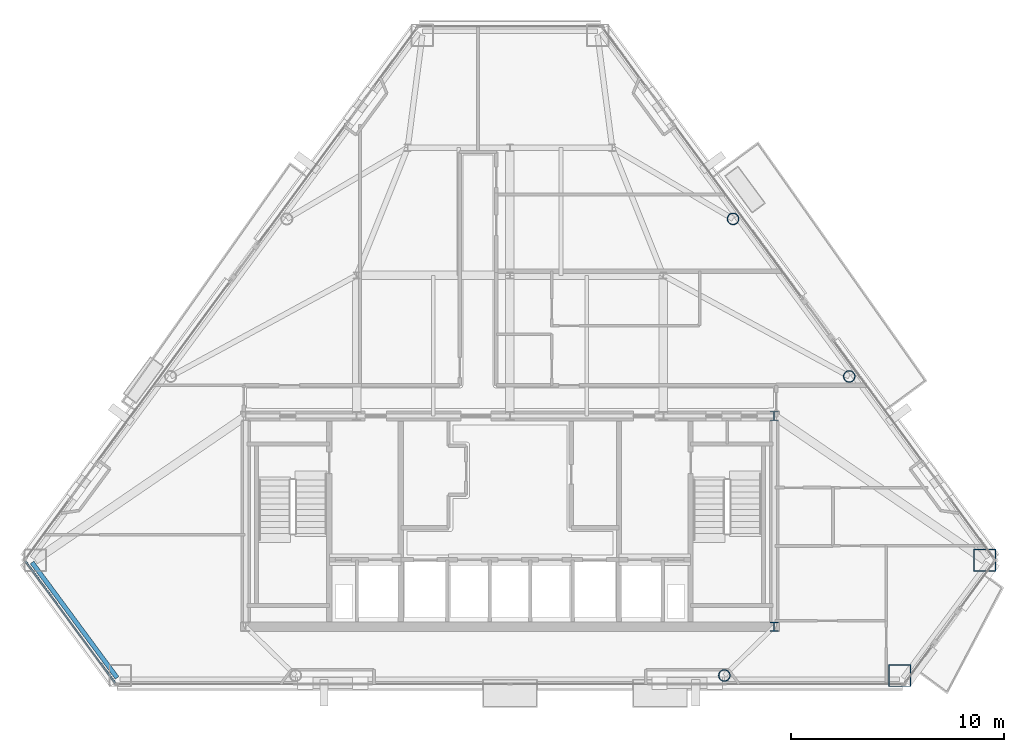
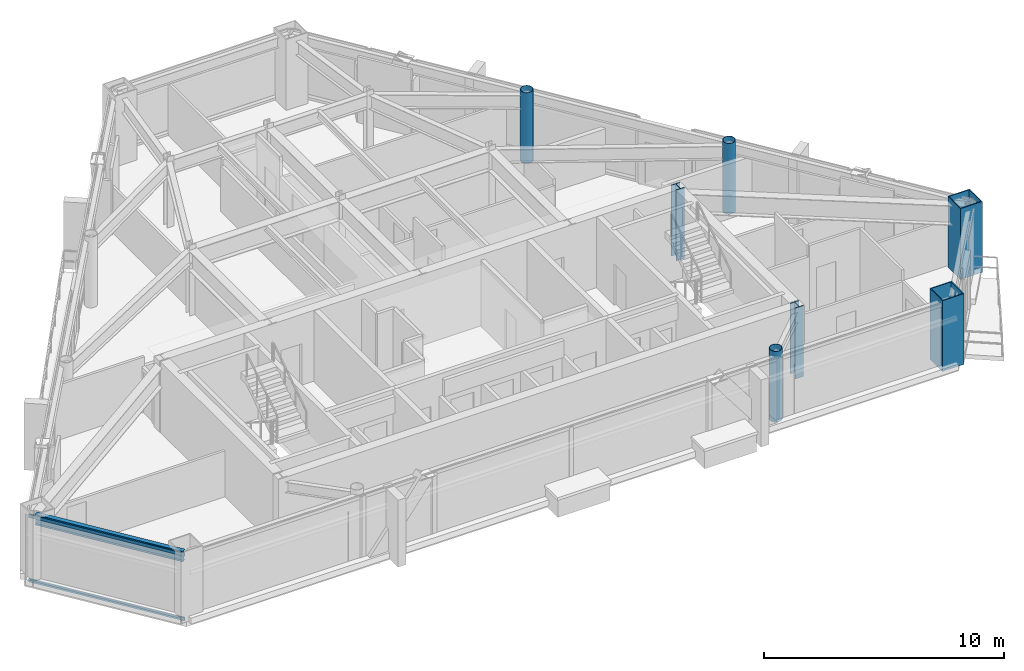
# One storey, part 2 of 11: 7 columns, 2 members, 1 beam, 1 element without a shape of its own.
"""IFC4 building model written with IfcOpenShell, lengths in metres."""

from ifc_helpers import new_model, si_unit, direction, frame, origin, origin_2d, place, context, subcontext, project, spatial, rectangle, hollow_rectangle, hollow_circle, i_section, extrude, material, layer, layer_set, material_profile, profile_set, type_object, element, aggregate, save


model = new_model("IFC4")

# Units and contexts
model_context = context("Model", 3, precision=1e-05, world=origin(), true_north=direction((0.0, 1.0)))
body_context = subcontext(model_context, "Body", "Model", "MODEL_VIEW")
ifc_project = project(units=[si_unit("LENGTHUNIT", "METRE"), si_unit("AREAUNIT", "SQUARE_METRE"), si_unit("VOLUMEUNIT", "CUBIC_METRE"), si_unit("PLANEANGLEUNIT", "RADIAN"), si_unit("MASSUNIT", "GRAM", prefix="KILO")], contexts=[model_context])

# Site, building, storey
site_placement = place(None, origin())
site = spatial("IfcSite", under=ifc_project, at=site_placement, CompositionType="ELEMENT")
building_placement = place(site_placement, origin())
building = spatial("IfcBuilding", under=site, at=building_placement, Name="Talgorran Terracotta Tower", CompositionType="ELEMENT")
storey_placement = place(building_placement, frame((0.0, 0.0, 178.5)))
storey = spatial("IfcBuildingStorey", under=building, at=storey_placement, Name="L46", CompositionType="ELEMENT", Elevation=178.5)

# Columns
ifc_material_1 = material(Name="Steel S355 (300PLUS)", Category="steel")
ifc_material_profile_1 = material_profile(ifc_material_1, i_section(OverallWidth=0.39990234375, OverallDepth=0.43994140625, WebThickness=0.028076171875, FlangeThickness=0.0400390625, at=origin_2d()), Name="400WC328")
ifc_profile_set_1 = profile_set([ifc_material_profile_1], Name="Steel S355 (300PLUS)")
column_type_1 = type_object("IfcColumnType", Name="COL_400WC328", PredefinedType="COLUMN", material=ifc_profile_set_1)
for number, where, z_axis, x_axis, name in (
    (1, (12.39990234375, -14.10009765625, 0.0), (0.0, 0.0, 1.0), (1.0, 0.0, 0.0), "L46 Core Boundary Column CC2"),
    (2, (12.39990234375, -4.199951171875, 0.0), (0.0, 0.0, 1.0), (1.0, 0.0, 0.0), "L46 Core Boundary Column CC3"),
):
    element("IfcColumn", number, at=place(storey_placement, frame(where, z_axis=z_axis, x_axis=x_axis)), inside=storey, type_object=column_type_1, Name=name, PredefinedType="COLUMN", context=body_context, shape_type="SweptSolid", body=[
        extrude(i_section(OverallWidth=0.39990234375, OverallDepth=0.43994140625, WebThickness=0.028076171875, FlangeThickness=0.0400390625, at=origin_2d()), origin(), (0.0, 0.0, 1.0), 3.60009765625),
    ])
ifc_material_2 = material(Name="Steel Grade 350 (350L0)", Category="steel")
ifc_material_profile_2 = material_profile(ifc_material_2, hollow_rectangle(XDim=1.050048828125, YDim=1.050048828125, WallThickness=0.044921875, at=origin_2d()), Name="CFT1050X1050X45")
ifc_profile_set_2 = profile_set([ifc_material_profile_2], Name="Steel Grade 350 (350L0)")
column_type_2 = type_object("IfcColumnType", Name="COL_CFT_1050", PredefinedType="COLUMN", material=ifc_profile_set_2)
for number, where, z_axis, x_axis, name in (
    (3, (18.30078125, -16.385498046875, 0.0), (0.0, 0.0, 1.0), (1.0, 0.0, 0.0), "L46 Corner CFT Mega-Column MC3"),
    (4, (22.2939453125, -10.97021484375, 0.0), (0.0, 0.0, 1.0), (1.0, 0.0, 0.0), "L46 Corner CFT Mega-Column MC4"),
):
    element("IfcColumn", number, at=place(storey_placement, frame(where, z_axis=z_axis, x_axis=x_axis)), inside=storey, type_object=column_type_2, Name=name, PredefinedType="COLUMN", context=body_context, shape_type="SweptSolid", body=[
        extrude(hollow_rectangle(XDim=1.050048828125, YDim=1.050048828125, WallThickness=0.044921875, at=origin_2d()), origin(), (0.0, 0.0, 1.0), 3.60009765625),
    ])
ifc_material_profile_3 = material_profile(ifc_material_2, hollow_circle(Radius=0.27490234375, WallThickness=0.02392578125, at=origin_2d()), Name="CHS550X24")
ifc_profile_set_3 = profile_set([ifc_material_profile_3], Name="Steel Grade 350 (350L0)")
column_type_3 = type_object("IfcColumnType", Name="COL_CHS_550", PredefinedType="COLUMN", material=ifc_profile_set_3)
for number, where, z_axis, x_axis, name in (
    (5, (10.0654296875, -16.385498046875, 0.0), (0.0, 0.0, 1.0), (1.0, 0.0, 0.0), "L46 Facet Perimeter Column FC2"),
    (6, (15.930908203125, -2.34130859375, 0.0), (0.0, 0.0, 1.0), (1.0, 0.0, 0.0), "L46 Facet Perimeter Column FC3"),
    (7, (10.47705078125, 5.0546875, 0.0), (0.0, 0.0, 1.0), (1.0, 0.0, 0.0), "L46 Facet Perimeter Column FC4"),
):
    element("IfcColumn", number, at=place(storey_placement, frame(where, z_axis=z_axis, x_axis=x_axis)), inside=storey, type_object=column_type_3, Name=name, PredefinedType="COLUMN", context=body_context, shape_type="SweptSolid", body=[
        extrude(hollow_circle(Radius=0.27490234375, WallThickness=0.02392578125, at=origin_2d()), origin(), (0.0, 0.0, 1.0), 3.60009765625),
    ])

# Beam
ifc_material_profile_4 = material_profile(ifc_material_1, i_section(OverallWidth=0.209228515625, OverallDepth=0.532958984375, WebThickness=0.01025390625, FlangeThickness=0.015625, at=origin_2d()), Name="530UB92.4")
ifc_profile_set_4 = profile_set([ifc_material_profile_4], Name="Steel S355 (300PLUS)")
beam_type = type_object("IfcBeamType", Name="BM_SP_530UB92", PredefinedType="SPANDREL", material=ifc_profile_set_4)
beam_placement = place(storey_placement, frame((-22.438720703125, -11.0771484375, 3.08349609375), z_axis=(0.593483681594, -0.804846022343, 0.0), x_axis=(0.804846022343, 0.593483681594, 0.0)))
element("IfcBeam", 8, at=beam_placement, inside=storey, type_object=beam_type, Name="L46 Perimeter Spandrel Beam MC1-MC2", PredefinedType="SPANDREL", context=body_context, shape_type="SweptSolid", body=[
    extrude(i_section(OverallWidth=0.209228515625, OverallDepth=0.532958984375, WebThickness=0.01025390625, FlangeThickness=0.015625, at=origin_2d()), origin(), (0.0, 0.0, 1.0), 6.728271484375),
])

# Curtain wall, members
ifc_material_3 = material(Name="High-Wind Unitised Glazing", Category="glass")
ifc_layer = layer(ifc_material_3, 0.2099609375, Name="CW_SYS3_RES_HIGH")
ifc_layer_set = layer_set([ifc_layer], Name="High-Wind Unitised Glazing")
curtain_wall_type = type_object("IfcCurtainWallType", Name="CW_SYS3_RES_HIGH", PredefinedType="NOTDEFINED", material=ifc_layer_set)
curtain_wall_placement = place(storey_placement, origin())
curtain_wall = element("IfcCurtainWall", 9, at=curtain_wall_placement, inside=storey, type_object=curtain_wall_type, Name="CW-L46-F0", PredefinedType="NOTDEFINED")
ifc_material_4 = material(Name="Architectural Aluminium 6063-T6", Category="aluminium")
ifc_material_profile_5 = material_profile(ifc_material_4, rectangle(XDim=0.070068359375, YDim=0.159912109375, at=origin_2d()), Name="CWT70X160")
ifc_profile_set_5 = profile_set([ifc_material_profile_5], Name="Architectural Aluminium 6063-T6")
member_type = type_object("IfcMemberType", Name="TRN_70X160", PredefinedType="USERDEFINED", material=ifc_profile_set_5)
member_1_placement = place(storey_placement, frame((-22.749267578125, -11.026611328125, 0.034912109375), z_axis=(0.593485790765, -0.804844467062, 0.0), x_axis=(0.804844467062, 0.593485790765, 0.0)))
member_1 = element("IfcMember", 10, at=member_1_placement, type_object=member_type, Name="CW-L46-0 transom 1.1", ObjectType="TRANSOM", PredefinedType="USERDEFINED", context=body_context, shape_type="SweptSolid", body=[
    extrude(rectangle(XDim=0.070068359375, YDim=0.159912109375, at=origin_2d()), origin(), (0.0, 0.0, 1.0), 7.08544921875),
])
member_2_placement = place(storey_placement, frame((-22.749267578125, -11.026611328125, 3.31494140625), z_axis=(0.593485790765, -0.804844467062, 0.0), x_axis=(0.804844467062, 0.593485790765, 0.0)))
member_2 = element("IfcMember", 11, at=member_2_placement, type_object=member_type, Name="CW-L46-0 transom 1.2", ObjectType="TRANSOM", PredefinedType="USERDEFINED", context=body_context, shape_type="SweptSolid", body=[
    extrude(rectangle(XDim=0.070068359375, YDim=0.159912109375, at=origin_2d()), origin(), (0.0, 0.0, 1.0), 7.08544921875),
])
aggregate(curtain_wall, [member_1, member_2])

save(model, "model.ifc")
